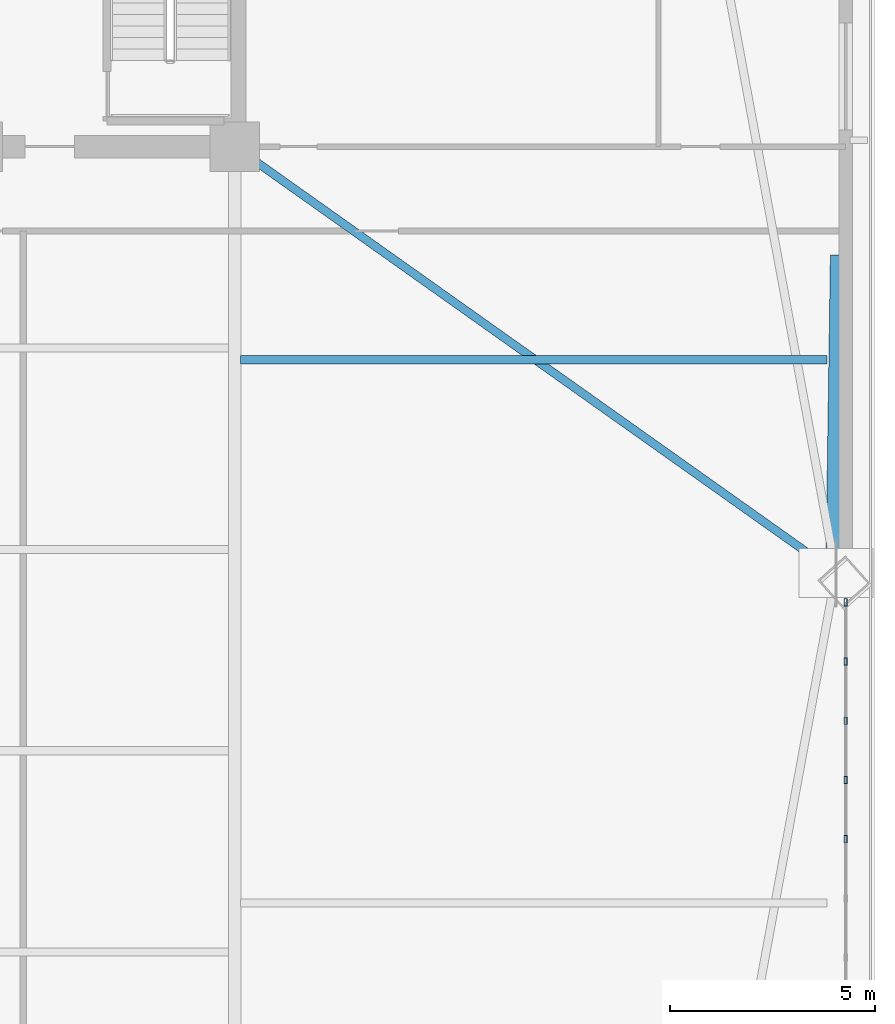
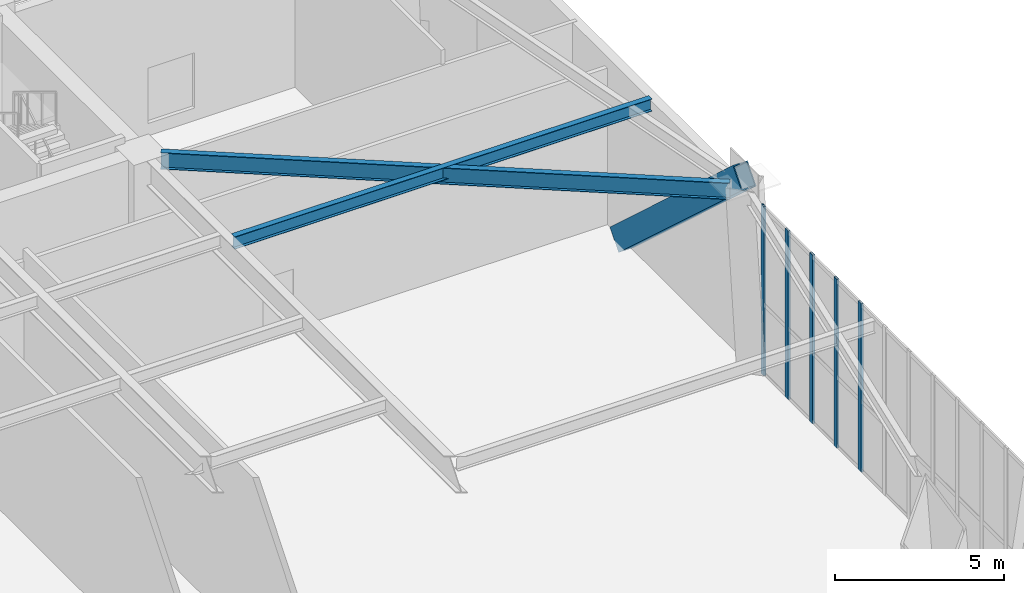
# One storey, part 11 of 22: 6 members, 2 beams, 1 element without a shape of its own.
"""IFC4 building model written with IfcOpenShell, lengths in metres."""

from ifc_helpers import new_model, si_unit, direction, frame, origin, origin_2d, place, context, subcontext, project, spatial, hollow_rectangle, i_section, extrude, source, transform, mapped, material, layer, layer_set, material_profile, profile_set, type_object, element, aggregate, save


model = new_model("IFC4")

# Units and contexts
model_context = context("Model", 3, precision=1e-05, world=origin(), true_north=direction((0.0, 1.0)))
body_context = subcontext(model_context, "Body", "Model", "MODEL_VIEW")
ifc_project = project(units=[si_unit("LENGTHUNIT", "METRE"), si_unit("AREAUNIT", "SQUARE_METRE"), si_unit("VOLUMEUNIT", "CUBIC_METRE"), si_unit("PLANEANGLEUNIT", "RADIAN"), si_unit("MASSUNIT", "GRAM", prefix="KILO")], contexts=[model_context])

# Site, building, storey
site_placement = place(None, origin())
site = spatial("IfcSite", under=ifc_project, at=site_placement, CompositionType="ELEMENT")
building_placement = place(site_placement, origin())
building = spatial("IfcBuilding", under=site, at=building_placement, Name="Giltprow Tower", CompositionType="ELEMENT")
storey_placement = place(building_placement, frame((0.0, 0.0, 130.89990234375)))
storey = spatial("IfcBuildingStorey", under=building, at=storey_placement, Name="L32", CompositionType="ELEMENT", Elevation=130.89990234375)

# Beams
ifc_material_1 = material(Name="Structural steel Q355B", Category="steel")
ifc_material_profile_1 = material_profile(ifc_material_1, i_section(OverallWidth=0.199951171875, OverallDepth=0.60009765625, WebThickness=0.010986328125, FlangeThickness=0.01708984375, at=origin_2d()), Name="HN 600x200x11x17")
ifc_profile_set_1 = profile_set([ifc_material_profile_1], Name="Structural steel Q355B")
beam_type_1 = type_object("IfcBeamType", Name="BM-GIRD-HN600", PredefinedType="BEAM", material=ifc_profile_set_1)
shared_shape_1 = source(origin(), body_context, "Body", "SweptSolid", [
    extrude(i_section(OverallWidth=0.199951171875, OverallDepth=0.60009765625, WebThickness=0.010986328125, FlangeThickness=0.01708984375, at=origin_2d()), origin(), (0.0, 0.0, 1.0), 16.922119140625),
])
beam_1_placement = place(storey_placement, frame((64.8310546875, 27.323974609375, 6.27001953125), z_axis=(-0.815737718153, 0.578421969831, 0.0), x_axis=(-0.578421969831, -0.815737718153, 0.0)))
element("IfcBeam", 1, at=beam_1_placement, inside=storey, type_object=beam_type_1, Name="L32 East Wing Primary Girder", PredefinedType="BEAM", context=body_context, shape_type="MappedRepresentation", body=[
    mapped(shared_shape_1, transform((0.0, 0.0, 0.0), x_axis=(1.0, 0.0, 0.0), y_axis=(0.0, 1.0, 0.0), z_axis=(0.0, 0.0, 1.0), scale=1.0)),
])
ifc_material_profile_2 = material_profile(ifc_material_1, i_section(OverallWidth=0.199951171875, OverallDepth=0.449951171875, WebThickness=0.009033203125, FlangeThickness=0.013916015625, at=origin_2d()), Name="HN 450x200x9x14")
ifc_profile_set_2 = profile_set([ifc_material_profile_2], Name="Structural steel Q355B")
beam_type_2 = type_object("IfcBeamType", Name="BM-JOIST-HN450", PredefinedType="JOIST", material=ifc_profile_set_2)
shared_shape_2 = source(origin(), body_context, "Body", "SweptSolid", [
    extrude(i_section(OverallWidth=0.199951171875, OverallDepth=0.449951171875, WebThickness=0.009033203125, FlangeThickness=0.013916015625, at=origin_2d()), origin(), (0.0, 0.0, 1.0), 14.27099609375),
])
beam_2_placement = place(storey_placement, frame((50.695068359375, 32.260986328125, 6.34521484375), z_axis=(1.0, 0.0, 0.0), x_axis=(0.0, 1.0, 0.0)))
element("IfcBeam", 2, at=beam_2_placement, inside=storey, type_object=beam_type_2, Name="L32 East Wing Floor Joist 2", PredefinedType="JOIST", context=body_context, shape_type="MappedRepresentation", body=[
    mapped(shared_shape_2, transform((0.0, 0.0, 0.0), x_axis=(1.0, 0.0, 0.0), y_axis=(0.0, 1.0, 0.0), z_axis=(0.0, 0.0, 1.0), scale=1.0)),
])

# Member
ifc_material_2 = material(Name="Structural steel Q420GJC", Category="steel")
ifc_material_profile_3 = material_profile(ifc_material_2, hollow_rectangle(XDim=0.5, YDim=0.800048828125, WallThickness=0.035888671875, at=origin_2d()), Name="RHS 800x500x36")
ifc_profile_set_3 = profile_set([ifc_material_profile_3], Name="Structural steel Q420GJC")
member_type_1 = type_object("IfcMemberType", Name="MBR-MEGA-RHS800", PredefinedType="BRACE", material=ifc_profile_set_3)
shared_shape_3 = source(origin(), body_context, "Body", "SweptSolid", [
    extrude(hollow_rectangle(XDim=0.5, YDim=0.800048828125, WallThickness=0.035888671875, at=origin_2d()), origin(), (0.0, 0.0, 1.0), 10.101318359375),
])
member_1_placement = place(storey_placement, frame((65.294921875, 34.541015625, 0.0), z_axis=(-0.010779363162, -0.739401473596, 0.673178480177), x_axis=(0.999893750629, -0.014576949393, 0.0)))
element("IfcMember", 3, at=member_1_placement, inside=storey, type_object=member_type_1, Name="L32 Chevron Mega-Brace E-R", PredefinedType="BRACE", context=body_context, shape_type="MappedRepresentation", body=[
    mapped(shared_shape_3, transform((0.0, 0.0, 0.0), x_axis=(1.0, 0.0, 0.0), y_axis=(0.0, 1.0, 0.0), z_axis=(0.0, 0.0, 1.0), scale=1.0)),
])

# Curtain wall, members
ifc_material_3 = material(Name="Anodized bronze", Category="metal")
ifc_layer = layer(ifc_material_3, 0.179931640625, Name="Anodized bronze")
ifc_layer_set = layer_set([ifc_layer], Name="Anodized bronze")
curtain_wall_type = type_object("IfcCurtainWallType", Name="CW-SKYGARDEN", PredefinedType="NOTDEFINED", material=ifc_layer_set)
curtain_wall_placement = place(storey_placement, origin())
curtain_wall = element("IfcCurtainWall", 4, at=curtain_wall_placement, inside=storey, type_object=curtain_wall_type, Name="L32 E Sky Garden Glazing", PredefinedType="NOTDEFINED")
ifc_material_profile_4 = material_profile(ifc_material_3, hollow_rectangle(XDim=0.074951171875, YDim=0.179931640625, WallThickness=0.008056640625, at=origin_2d()), Name="RHS 180x75x8")
ifc_profile_set_4 = profile_set([ifc_material_profile_4], Name="Anodized bronze")
member_type_2 = type_object("IfcMemberType", Name="CW-MULLION-180x75", PredefinedType="MULLION", material=ifc_profile_set_4)
shared_shape_4 = source(origin(), body_context, "Body", "SweptSolid", [
    extrude(hollow_rectangle(XDim=0.074951171875, YDim=0.179931640625, WallThickness=0.008056640625, at=origin_2d()), origin(), (0.0, 0.0, 1.0), 6.105224609375),
])
member_2_placement = place(storey_placement, frame((65.4208984375, 20.594970703125, -0.02001953125), z_axis=(0.0, 0.0, 1.0), x_axis=(1.0, 0.0, 0.0)))
member_2 = element("IfcMember", 5, at=member_2_placement, type_object=member_type_2, Name="L32 E Sky Garden Glazing Mullion 8", PredefinedType="MULLION", context=body_context, shape_type="MappedRepresentation", body=[
    mapped(shared_shape_4, transform((0.0, 0.0, 0.0), x_axis=(1.0, 0.0, 0.0), y_axis=(0.0, 1.0, 0.0), z_axis=(0.0, 0.0, 1.0), scale=1.0)),
])
member_3_placement = place(storey_placement, frame((65.4208984375, 22.035888671875, -0.02001953125), z_axis=(0.0, 0.0, 1.0), x_axis=(1.0, 0.0, 0.0)))
member_3 = element("IfcMember", 6, at=member_3_placement, type_object=member_type_2, Name="L32 E Sky Garden Glazing Mullion 9", PredefinedType="MULLION", context=body_context, shape_type="MappedRepresentation", body=[
    mapped(shared_shape_4, transform((0.0, 0.0, 0.0), x_axis=(1.0, 0.0, 0.0), y_axis=(0.0, 1.0, 0.0), z_axis=(0.0, 0.0, 1.0), scale=1.0)),
])
member_4_placement = place(storey_placement, frame((65.4208984375, 23.47705078125, -0.02001953125), z_axis=(0.0, 0.0, 1.0), x_axis=(1.0, 0.0, 0.0)))
member_4 = element("IfcMember", 7, at=member_4_placement, type_object=member_type_2, Name="L32 E Sky Garden Glazing Mullion 10", PredefinedType="MULLION", context=body_context, shape_type="MappedRepresentation", body=[
    mapped(shared_shape_4, transform((0.0, 0.0, 0.0), x_axis=(1.0, 0.0, 0.0), y_axis=(0.0, 1.0, 0.0), z_axis=(0.0, 0.0, 1.0), scale=1.0)),
])
member_5_placement = place(storey_placement, frame((65.4208984375, 24.91796875, -0.02001953125), z_axis=(0.0, 0.0, 1.0), x_axis=(1.0, 0.0, 0.0)))
member_5 = element("IfcMember", 8, at=member_5_placement, type_object=member_type_2, Name="L32 E Sky Garden Glazing Mullion 11", PredefinedType="MULLION", context=body_context, shape_type="MappedRepresentation", body=[
    mapped(shared_shape_4, transform((0.0, 0.0, 0.0), x_axis=(1.0, 0.0, 0.0), y_axis=(0.0, 1.0, 0.0), z_axis=(0.0, 0.0, 1.0), scale=1.0)),
])
member_6_placement = place(storey_placement, frame((65.4208984375, 26.35888671875, -0.02001953125), z_axis=(0.0, 0.0, 1.0), x_axis=(1.0, 0.0, 0.0)))
member_6 = element("IfcMember", 9, at=member_6_placement, type_object=member_type_2, Name="L32 E Sky Garden Glazing Mullion 12", PredefinedType="MULLION", context=body_context, shape_type="MappedRepresentation", body=[
    mapped(shared_shape_4, transform((0.0, 0.0, 0.0), x_axis=(1.0, 0.0, 0.0), y_axis=(0.0, 1.0, 0.0), z_axis=(0.0, 0.0, 1.0), scale=1.0)),
])
aggregate(curtain_wall, [member_2, member_3, member_4, member_5, member_6])

save(model, "model.ifc")
